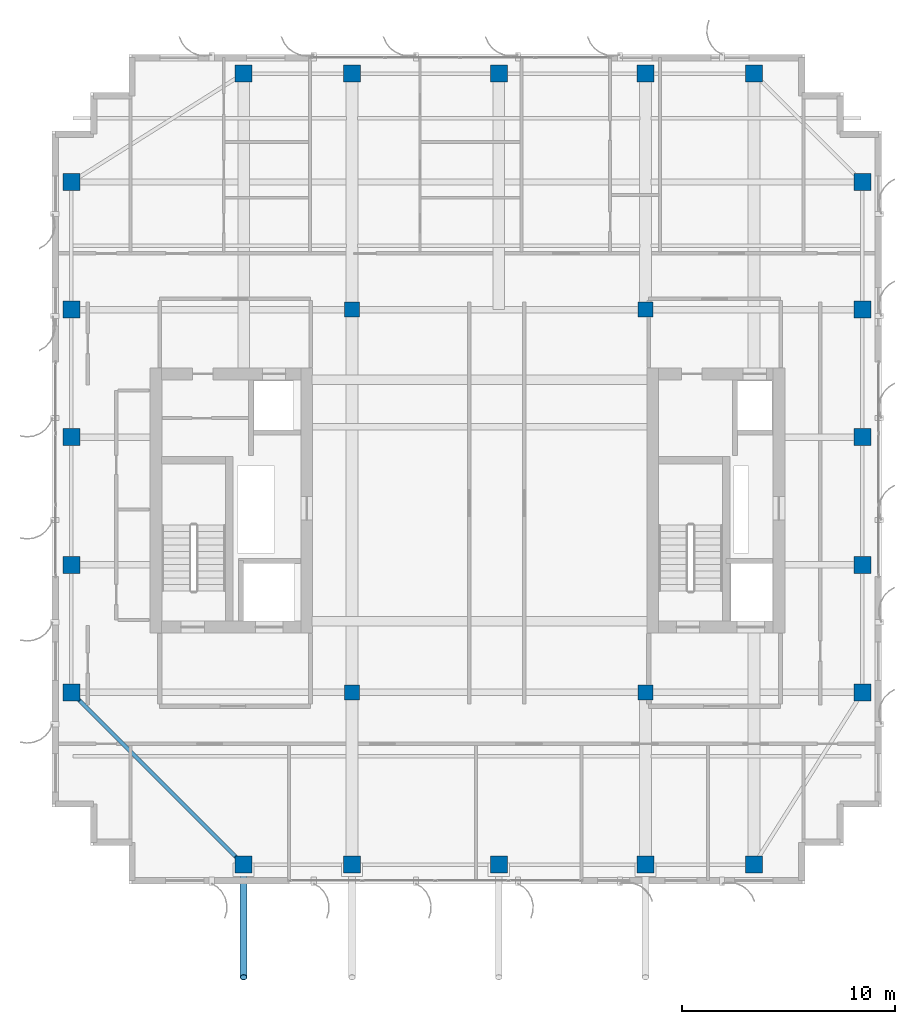
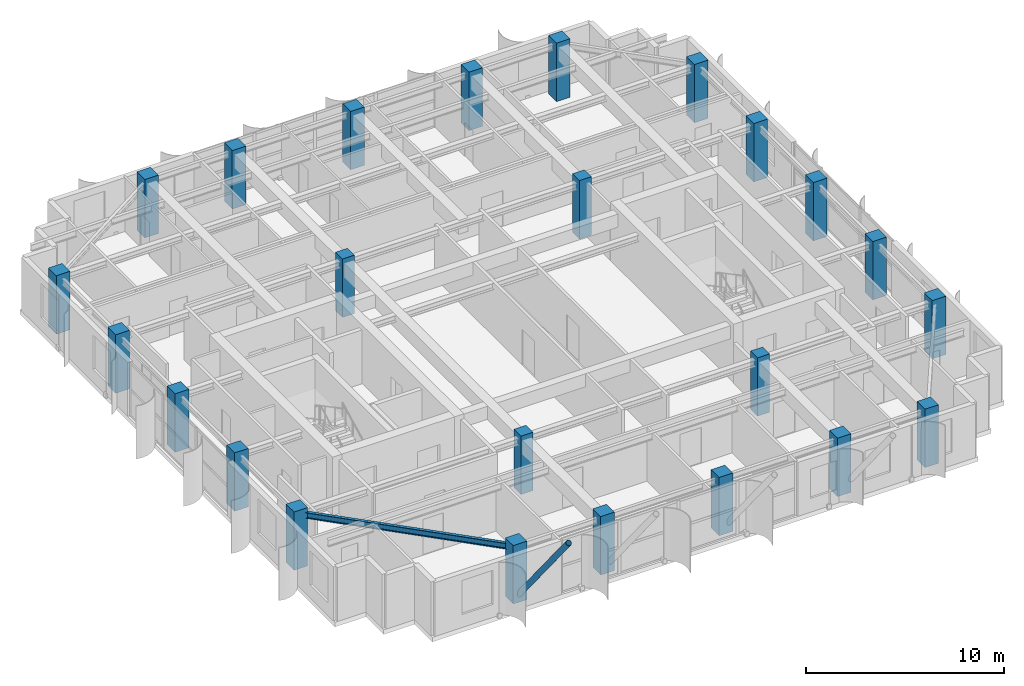
# One storey, part 1 of 22: 24 columns, 1 beam, 1 member.
"""IFC4 building model written with IfcOpenShell, lengths in metres."""

from ifc_helpers import new_model, si_unit, direction, frame, origin, origin_2d, place, context, subcontext, project, spatial, rectangle, hollow_circle, i_section, extrude, source, transform, mapped, material, material_profile, profile_set, type_object, element, save


model = new_model("IFC4")

# Units and contexts
model_context = context("Model", 3, precision=1e-05, world=origin(), true_north=direction((0.0, 1.0)))
body_context = subcontext(model_context, "Body", "Model", "MODEL_VIEW")
ifc_project = project(units=[si_unit("LENGTHUNIT", "METRE"), si_unit("AREAUNIT", "SQUARE_METRE"), si_unit("VOLUMEUNIT", "CUBIC_METRE"), si_unit("PLANEANGLEUNIT", "RADIAN"), si_unit("MASSUNIT", "GRAM", prefix="KILO")], contexts=[model_context])

# Site, building, storey
site_placement = place(None, origin())
site = spatial("IfcSite", under=ifc_project, at=site_placement, CompositionType="ELEMENT")
building_placement = place(site_placement, origin())
building = spatial("IfcBuilding", under=site, at=building_placement, Name="Khoralis Quay Care Tower", CompositionType="ELEMENT")
storey_placement = place(building_placement, frame((0.0, 0.0, 278.10009765625)))
storey = spatial("IfcBuildingStorey", under=building, at=storey_placement, Name="L73", CompositionType="ELEMENT", Elevation=278.10009765625)

# Columns
ifc_material_1 = material(Name="Concrete C50/60", Category="concrete")
ifc_material_profile_1 = material_profile(ifc_material_1, rectangle(XDim=0.800048828125, YDim=0.800048828125, at=origin_2d()), Name="Concrete C50/60")
ifc_profile_set_1 = profile_set([ifc_material_profile_1], Name="Concrete C50/60")
column_type_1 = type_object("IfcColumnType", Name="COL-C800", PredefinedType="COLUMN", material=ifc_profile_set_1)
shared_shape_1 = source(origin(), body_context, "Body", "SweptSolid", [
    extrude(rectangle(XDim=0.800048828125, YDim=0.800048828125, at=origin_2d()), origin(), (0.0, 0.0, 1.0), 3.599853515625),
])
for number, where, z_axis, x_axis, name in (
    (1, (12.0, 3.89990234375, 0.0), (0.0, 0.0, 1.0), (1.0, 0.0, 0.0), "COL-TWR-L73-01"),
    (2, (12.0, 41.10009765625, 0.0), (0.0, 0.0, 1.0), (1.0, 0.0, 0.0), "COL-TWR-L73-02"),
    (3, (17.10009765625, 3.89990234375, 0.0), (0.0, 0.0, 1.0), (1.0, 0.0, 0.0), "COL-TWR-L73-03"),
    (4, (17.10009765625, 41.10009765625, 0.0), (0.0, 0.0, 1.0), (1.0, 0.0, 0.0), "COL-TWR-L73-04"),
    (5, (24.0, 3.89990234375, 0.0), (0.0, 0.0, 1.0), (1.0, 0.0, 0.0), "COL-TWR-L73-05"),
    (6, (24.0, 41.10009765625, 0.0), (0.0, 0.0, 1.0), (1.0, 0.0, 0.0), "COL-TWR-L73-06"),
    (7, (30.89990234375, 3.89990234375, 0.0), (0.0, 0.0, 1.0), (1.0, 0.0, 0.0), "COL-TWR-L73-07"),
    (8, (30.89990234375, 41.10009765625, 0.0), (0.0, 0.0, 1.0), (1.0, 0.0, 0.0), "COL-TWR-L73-08"),
    (9, (36.0, 3.89990234375, 0.0), (0.0, 0.0, 1.0), (1.0, 0.0, 0.0), "COL-TWR-L73-09"),
    (10, (36.0, 41.10009765625, 0.0), (0.0, 0.0, 1.0), (1.0, 0.0, 0.0), "COL-TWR-L73-10"),
    (11, (3.89990234375, 12.0, 0.0), (0.0, 0.0, 1.0), (1.0, 0.0, 0.0), "COL-TWR-L73-11"),
    (12, (41.10009765625, 12.0, 0.0), (0.0, 0.0, 1.0), (1.0, 0.0, 0.0), "COL-TWR-L73-12"),
    (13, (3.89990234375, 18.0, 0.0), (0.0, 0.0, 1.0), (1.0, 0.0, 0.0), "COL-TWR-L73-13"),
    (14, (41.10009765625, 18.0, 0.0), (0.0, 0.0, 1.0), (1.0, 0.0, 0.0), "COL-TWR-L73-14"),
    (15, (3.89990234375, 24.0, 0.0), (0.0, 0.0, 1.0), (1.0, 0.0, 0.0), "COL-TWR-L73-15"),
    (16, (41.10009765625, 24.0, 0.0), (0.0, 0.0, 1.0), (1.0, 0.0, 0.0), "COL-TWR-L73-16"),
    (17, (3.89990234375, 30.0, 0.0), (0.0, 0.0, 1.0), (1.0, 0.0, 0.0), "COL-TWR-L73-17"),
    (18, (41.10009765625, 30.0, 0.0), (0.0, 0.0, 1.0), (1.0, 0.0, 0.0), "COL-TWR-L73-18"),
    (19, (3.89990234375, 36.0, 0.0), (0.0, 0.0, 1.0), (1.0, 0.0, 0.0), "COL-TWR-L73-19"),
    (20, (41.10009765625, 36.0, 0.0), (0.0, 0.0, 1.0), (1.0, 0.0, 0.0), "COL-TWR-L73-20"),
):
    element("IfcColumn", number, at=place(storey_placement, frame(where, z_axis=z_axis, x_axis=x_axis)), inside=storey, type_object=column_type_1, Name=name, PredefinedType="COLUMN", context=body_context, shape_type="MappedRepresentation", body=[
        mapped(shared_shape_1, transform((0.0, 0.0, 0.0), scale=1.0)),
    ])
ifc_material_profile_2 = material_profile(ifc_material_1, rectangle(XDim=0.699951171875, YDim=0.699951171875, at=origin_2d()), Name="Concrete C50/60")
ifc_profile_set_2 = profile_set([ifc_material_profile_2], Name="Concrete C50/60")
column_type_2 = type_object("IfcColumnType", Name="COL-C700", PredefinedType="COLUMN", material=ifc_profile_set_2)
shared_shape_2 = source(origin(), body_context, "Body", "SweptSolid", [
    extrude(rectangle(XDim=0.699951171875, YDim=0.699951171875, at=origin_2d()), origin(), (0.0, 0.0, 1.0), 3.599853515625),
])
for number, where, z_axis, x_axis, name in (
    (21, (17.10009765625, 12.0, 0.0), (0.0, 0.0, 1.0), (1.0, 0.0, 0.0), "COL-TWR-L73-21"),
    (22, (17.10009765625, 30.0, 0.0), (0.0, 0.0, 1.0), (1.0, 0.0, 0.0), "COL-TWR-L73-22"),
    (23, (30.89990234375, 12.0, 0.0), (0.0, 0.0, 1.0), (1.0, 0.0, 0.0), "COL-TWR-L73-23"),
    (24, (30.89990234375, 30.0, 0.0), (0.0, 0.0, 1.0), (1.0, 0.0, 0.0), "COL-TWR-L73-24"),
):
    element("IfcColumn", number, at=place(storey_placement, frame(where, z_axis=z_axis, x_axis=x_axis)), inside=storey, type_object=column_type_2, Name=name, PredefinedType="COLUMN", context=body_context, shape_type="MappedRepresentation", body=[
        mapped(shared_shape_2, transform((0.0, 0.0, 0.0), scale=1.0)),
    ])

# Beam
ifc_material_2 = material(Name="Steel S355", Category="steel")
ifc_material_profile_3 = material_profile(ifc_material_2, i_section(OverallWidth=0.169921875, OverallDepth=0.360107421875, WebThickness=0.008056640625, FlangeThickness=0.0126953125, FilletRadius=0.01806640625, at=origin_2d()), Name="Steel S355")
ifc_profile_set_3 = profile_set([ifc_material_profile_3], Name="Steel S355")
beam_type = type_object("IfcBeamType", Name="BM-IPE360", PredefinedType="SPANDREL", material=ifc_profile_set_3)
shared_shape_3 = source(origin(), body_context, "Body", "SweptSolid", [
    extrude(i_section(OverallWidth=0.169921875, OverallDepth=0.360107421875, WebThickness=0.008056640625, FlangeThickness=0.0126953125, FilletRadius=0.01806640625, at=origin_2d()), origin(), (0.0, 0.0, 1.0), 11.455322265625),
])
beam_placement = place(storey_placement, frame((12.0, 3.89990234375, 3.139892578125), z_axis=(-0.707106781187, 0.707106781187, 0.0), x_axis=(-0.707106781187, -0.707106781187, 0.0)))
element("IfcBeam", 25, at=beam_placement, inside=storey, type_object=beam_type, Name="BM-TCR-L73-17", PredefinedType="SPANDREL", context=body_context, shape_type="MappedRepresentation", body=[
    mapped(shared_shape_3, transform((0.0, 0.0, 0.0), scale=1.0)),
])

# Member
ifc_material_profile_4 = material_profile(ifc_material_2, hollow_circle(Radius=0.161865234375, WallThickness=0.01611328125, at=origin_2d()), Name="Steel S355")
ifc_profile_set_4 = profile_set([ifc_material_profile_4], Name="Steel S355")
member_type = type_object("IfcMemberType", Name="ST-CHS323X16", PredefinedType="STRUT", material=ifc_profile_set_4)
shared_shape_4 = source(origin(), body_context, "Body", "SweptSolid", [
    extrude(hollow_circle(Radius=0.161865234375, WallThickness=0.01611328125, at=origin_2d()), origin(), (0.0, 0.0, 1.0), 8.04150390625),
])
member_placement = place(storey_placement, frame((12.0, 3.659912109375, 0.349853515625), z_axis=(0.0, -0.629220062981, 0.777227194804), x_axis=(1.0, 0.0, 0.0)))
element("IfcMember", 26, at=member_placement, inside=storey, type_object=member_type, Name="L73 Sky Pool Raking Strut 1A", PredefinedType="STRUT", context=body_context, shape_type="MappedRepresentation", body=[
    mapped(shared_shape_4, transform((0.0, 0.0, 0.0), scale=1.0)),
])

save(model, "model.ifc")
